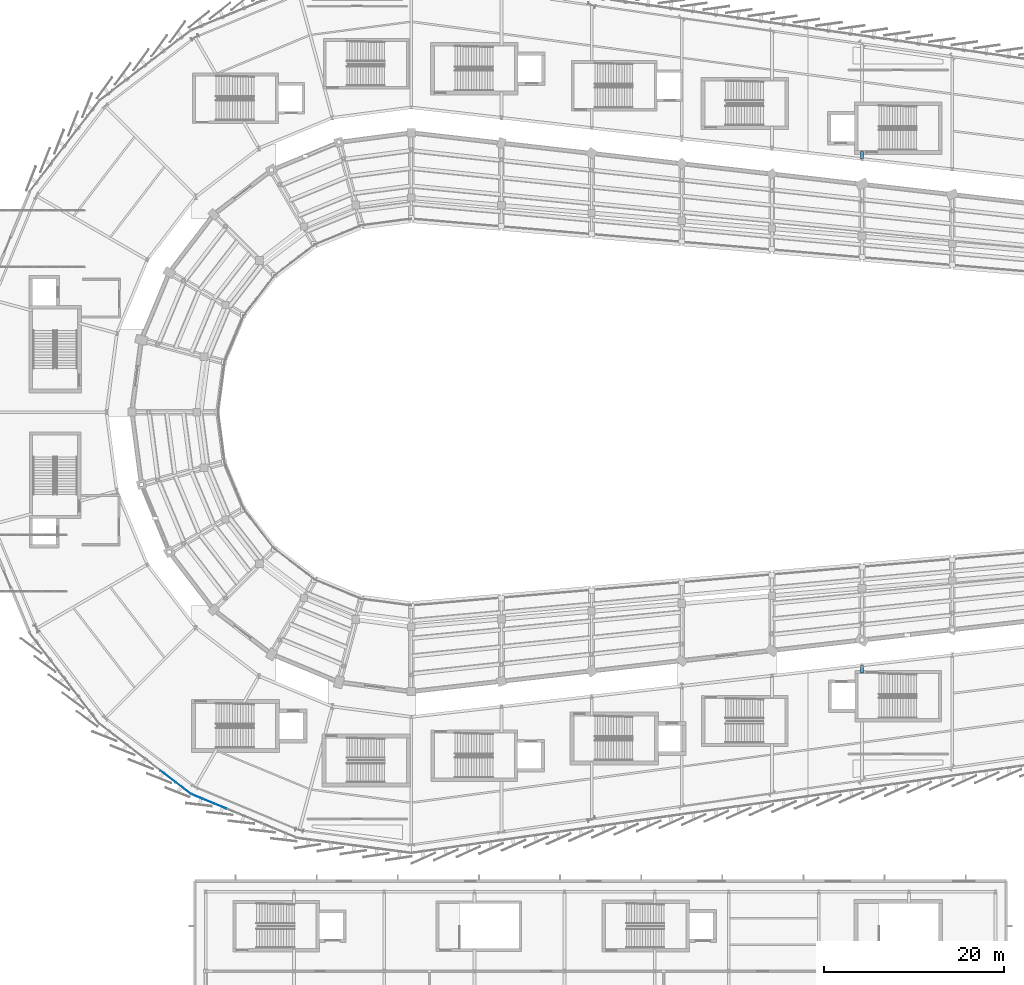
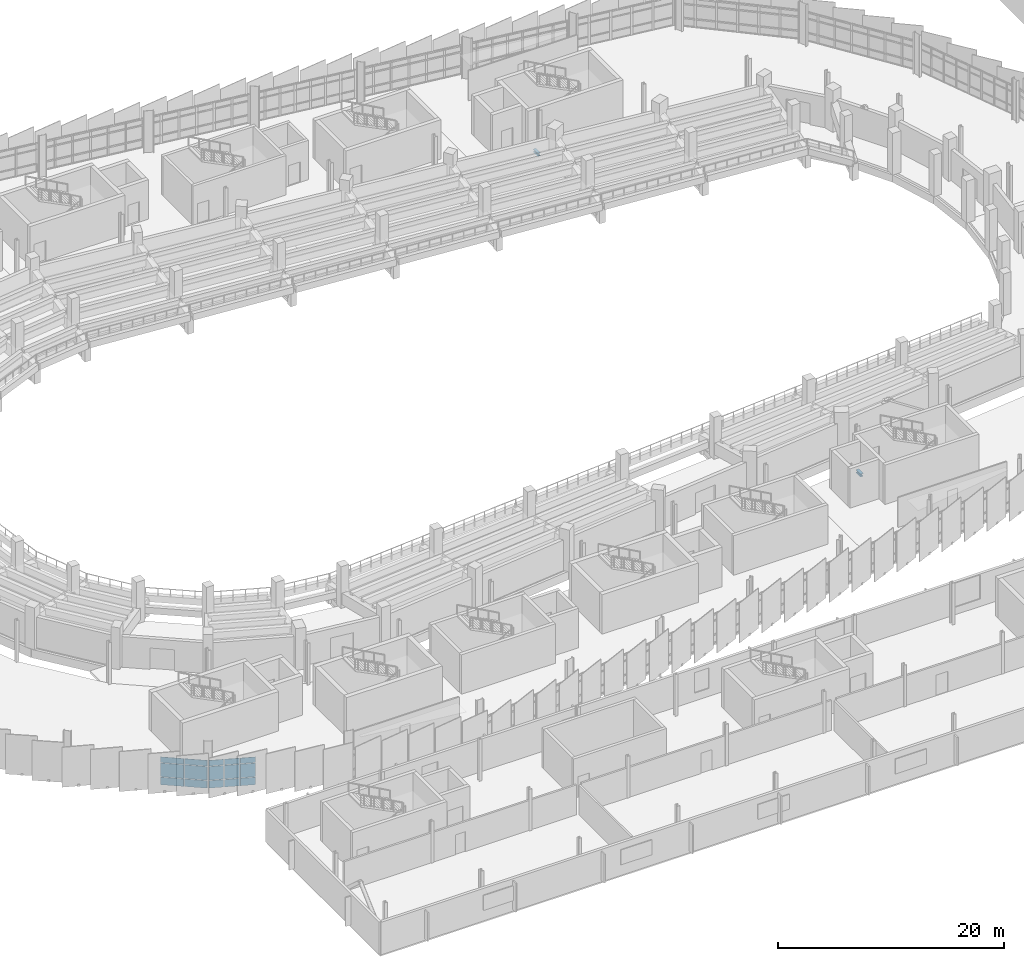
# One storey, part 76 of 120: 15 plates, 2 beams, 2 elements without a shape of their own.
"""IFC4 building model written with IfcOpenShell, lengths in metres."""

from ifc_helpers import new_model, si_unit, direction, frame, origin, origin_2d, place, context, subcontext, project, spatial, rectangle, i_section, extrude, material, layer, layer_set, material_profile, profile_set, type_object, element, aggregate, save


model = new_model("IFC4")

# Units and contexts
model_context = context("Model", 3, precision=1e-05, world=origin(), true_north=direction((0.0, 1.0)))
body_context = subcontext(model_context, "Body", "Model", "MODEL_VIEW")
ifc_project = project(units=[si_unit("LENGTHUNIT", "METRE"), si_unit("AREAUNIT", "SQUARE_METRE"), si_unit("VOLUMEUNIT", "CUBIC_METRE"), si_unit("PLANEANGLEUNIT", "RADIAN"), si_unit("MASSUNIT", "GRAM", prefix="KILO")], contexts=[model_context])

# Site, building, storey
site_placement = place(None, origin())
site = spatial("IfcSite", under=ifc_project, at=site_placement, CompositionType="ELEMENT")
building_placement = place(site_placement, origin())
building = spatial("IfcBuilding", under=site, at=building_placement, Name="Sohan Crest Arena", CompositionType="ELEMENT")
storey_placement = place(building_placement, frame((0.0, 0.0, 13.5)))
storey = spatial("IfcBuildingStorey", under=building, at=storey_placement, Name="L03", CompositionType="ELEMENT", Elevation=13.5)

# Beams
ifc_material_1 = material(Name="Steel S355", Category="steel")
ifc_material_profile = material_profile(ifc_material_1, i_section(OverallWidth=0.300048828125, OverallDepth=0.300048828125, WebThickness=0.010986328125, FlangeThickness=0.01904296875, at=origin_2d()), Name="HEB 300")
ifc_profile_set = profile_set([ifc_material_profile], Name="Steel S355")
beam_type = type_object("IfcBeamType", Name="STR-BM-B12", PredefinedType="BEAM", material=ifc_profile_set)
for number, where, z_axis, x_axis, name in (
    (1, (148.0, 49.9140625, -0.39990234375), (0.0, -1.0, 0.0), (1.0, 0.0, 0.0), "Structural beam G-L03-1470"),
    (2, (148.0, 106.0859375, -0.39990234375), (0.0, 1.0, 0.0), (-1.0, 0.0, 0.0), "Structural beam G-L03-1529"),
):
    element("IfcBeam", number, at=place(storey_placement, frame(where, z_axis=z_axis, x_axis=x_axis)), inside=storey, type_object=beam_type, Name=name, PredefinedType="BEAM", context=body_context, shape_type="SweptSolid", body=[
        extrude(i_section(OverallWidth=0.300048828125, OverallDepth=0.300048828125, WebThickness=0.010986328125, FlangeThickness=0.01904296875, at=origin_2d()), origin(), (0.0, 0.0, 1.0), 0.833984375),
    ])

# Curtain wall, plates
ifc_material_2 = material(Name="Thermally broken anodised aluminium", Category="aluminium")
ifc_layer_1 = layer(ifc_material_2, 0.239990234375, Name="Thermally broken anodised aluminium")
ifc_layer_set_1 = layer_set([ifc_layer_1], Name="Thermally broken anodised aluminium")
curtain_wall_type_1 = type_object("IfcCurtainWallType", Name="ARC-CW04", PredefinedType="NOTDEFINED", material=ifc_layer_set_1)
curtain_wall_1_placement = place(storey_placement, origin())
curtain_wall_1 = element("IfcCurtainWall", 3, at=curtain_wall_1_placement, inside=storey, type_object=curtain_wall_type_1, Name="Unitised curtain wall CW-087", PredefinedType="NOTDEFINED")
ifc_material_3 = material(Name="Low-E double-glazed insulated glass", Category="glass")
ifc_layer_2 = layer(ifc_material_3, 0.031982421875, Name="Low-E double-glazed insulated glass")
ifc_layer_set_2 = layer_set([ifc_layer_2], Name="Low-E double-glazed insulated glass")
plate_type_1 = type_object("IfcPlateType", Name="ARC-CNP02", PredefinedType="CURTAIN_PANEL", material=ifc_layer_set_2)
plate_1_placement = place(storey_placement, frame((71.01806640625, 37.59375, 0.06005859375), z_axis=(0.0, 0.0, 1.0), x_axis=(0.793371792207, -0.608737381249, 0.0)))
plate_1 = element("IfcPlate", 4, at=plate_1_placement, type_object=plate_type_1, Name="CW-087 panel 5.1", PredefinedType="CURTAIN_PANEL", context=body_context, shape_type="SweptSolid", body=[
    extrude(rectangle(XDim=2.062744140625, YDim=0.031982421875, at=origin_2d()), origin(), (0.0, 0.0, 1.0), 0.81005859375),
])
plate_2_placement = place(storey_placement, frame((71.01806640625, 37.59375, 0.929931640625), z_axis=(0.0, 0.0, 1.0), x_axis=(0.793371792207, -0.608737381249, 0.0)))
plate_2 = element("IfcPlate", 5, at=plate_2_placement, type_object=plate_type_1, Name="CW-087 panel 5.2", PredefinedType="CURTAIN_PANEL", context=body_context, shape_type="SweptSolid", body=[
    extrude(rectangle(XDim=2.062744140625, YDim=0.031982421875, at=origin_2d()), origin(), (0.0, 0.0, 1.0), 1.4599609375),
])
plate_3_placement = place(storey_placement, frame((71.01806640625, 37.59375, 2.44970703125), z_axis=(0.0, 0.0, 1.0), x_axis=(0.793371792207, -0.608737381249, 0.0)))
plate_3 = element("IfcPlate", 6, at=plate_3_placement, type_object=plate_type_1, Name="CW-087 panel 5.3", PredefinedType="CURTAIN_PANEL", context=body_context, shape_type="SweptSolid", body=[
    extrude(rectangle(XDim=2.062744140625, YDim=0.031982421875, at=origin_2d()), origin(), (0.0, 0.0, 1.0), 0.610107421875),
])
plate_4_placement = place(storey_placement, frame((72.693115234375, 36.30859375, 0.06005859375), z_axis=(0.0, 0.0, 1.0), x_axis=(0.793371792207, -0.608737381249, 0.0)))
plate_4 = element("IfcPlate", 7, at=plate_4_placement, type_object=plate_type_1, Name="CW-087 panel 6.1", PredefinedType="CURTAIN_PANEL", context=body_context, shape_type="SweptSolid", body=[
    extrude(rectangle(XDim=2.030029296875, YDim=0.031982421875, at=origin_2d()), origin(), (0.0, 0.0, 1.0), 0.81005859375),
])
plate_5_placement = place(storey_placement, frame((72.693115234375, 36.30859375, 0.929931640625), z_axis=(0.0, 0.0, 1.0), x_axis=(0.793371792207, -0.608737381249, 0.0)))
plate_5 = element("IfcPlate", 8, at=plate_5_placement, type_object=plate_type_1, Name="CW-087 panel 6.2", PredefinedType="CURTAIN_PANEL", context=body_context, shape_type="SweptSolid", body=[
    extrude(rectangle(XDim=2.030029296875, YDim=0.031982421875, at=origin_2d()), origin(), (0.0, 0.0, 1.0), 1.4599609375),
])
plate_6_placement = place(storey_placement, frame((72.693115234375, 36.30859375, 2.44970703125), z_axis=(0.0, 0.0, 1.0), x_axis=(0.793371792207, -0.608737381249, 0.0)))
plate_6 = element("IfcPlate", 9, at=plate_6_placement, type_object=plate_type_1, Name="CW-087 panel 6.3", PredefinedType="CURTAIN_PANEL", context=body_context, shape_type="SweptSolid", body=[
    extrude(rectangle(XDim=2.030029296875, YDim=0.031982421875, at=origin_2d()), origin(), (0.0, 0.0, 1.0), 0.610107421875),
])
aggregate(curtain_wall_1, [plate_1, plate_2, plate_3, plate_4, plate_5, plate_6])

ifc_layer_3 = layer(ifc_material_2, 0.18994140625, Name="Thermally broken anodised aluminium")
ifc_layer_set_3 = layer_set([ifc_layer_3], Name="Thermally broken anodised aluminium")
curtain_wall_type_2 = type_object("IfcCurtainWallType", Name="ARC-CW05", PredefinedType="NOTDEFINED", material=ifc_layer_set_3)
curtain_wall_2_placement = place(storey_placement, origin())
curtain_wall_2 = element("IfcCurtainWall", 10, at=curtain_wall_2_placement, inside=storey, type_object=curtain_wall_type_2, Name="Unitised curtain wall CW-088", PredefinedType="NOTDEFINED")
ifc_material_4 = material(Name="Ceramic-fritted solar-control insulated glass", Category="glass")
ifc_layer_4 = layer(ifc_material_4, 0.035888671875, Name="Ceramic-fritted solar-control insulated glass")
ifc_layer_set_4 = layer_set([ifc_layer_4], Name="Ceramic-fritted solar-control insulated glass")
plate_type_2 = type_object("IfcPlateType", Name="ARC-CNP03", PredefinedType="CURTAIN_PANEL", material=ifc_layer_set_4)
plate_7_placement = place(storey_placement, frame((74.221435546875, 35.372802734375, 0.06494140625), z_axis=(0.0, 0.0, 1.0), x_axis=(0.923886034074, -0.382667735827, 0.0)))
plate_7 = element("IfcPlate", 11, at=plate_7_placement, type_object=plate_type_2, Name="CW-088 panel 1.1", PredefinedType="CURTAIN_PANEL", context=body_context, shape_type="SweptSolid", body=[
    extrude(rectangle(XDim=1.3134765625, YDim=0.035888671875, at=origin_2d()), origin(), (0.0, 0.0, 1.0), 0.802490234375),
])
plate_8_placement = place(storey_placement, frame((74.221435546875, 35.372802734375, 0.932373046875), z_axis=(0.0, 0.0, 1.0), x_axis=(0.923886034074, -0.382667735827, 0.0)))
plate_8 = element("IfcPlate", 12, at=plate_8_placement, type_object=plate_type_2, Name="CW-088 panel 1.2", PredefinedType="CURTAIN_PANEL", context=body_context, shape_type="SweptSolid", body=[
    extrude(rectangle(XDim=1.3134765625, YDim=0.035888671875, at=origin_2d()), origin(), (0.0, 0.0, 1.0), 1.455078125),
])
plate_9_placement = place(storey_placement, frame((74.221435546875, 35.372802734375, 2.452392578125), z_axis=(0.0, 0.0, 1.0), x_axis=(0.923886034074, -0.382667735827, 0.0)))
plate_9 = element("IfcPlate", 13, at=plate_9_placement, type_object=plate_type_2, Name="CW-088 panel 1.3", PredefinedType="CURTAIN_PANEL", context=body_context, shape_type="SweptSolid", body=[
    extrude(rectangle(XDim=1.3134765625, YDim=0.035888671875, at=origin_2d()), origin(), (0.0, 0.0, 1.0), 0.6025390625),
])
plate_10_placement = place(storey_placement, frame((75.515625, 34.8369140625, 0.06494140625), z_axis=(0.0, 0.0, 1.0), x_axis=(0.923886034074, -0.382667735827, 0.0)))
plate_10 = element("IfcPlate", 14, at=plate_10_placement, type_object=plate_type_2, Name="CW-088 panel 2.1", PredefinedType="CURTAIN_PANEL", context=body_context, shape_type="SweptSolid", body=[
    extrude(rectangle(XDim=1.348388671875, YDim=0.035888671875, at=origin_2d()), origin(), (0.0, 0.0, 1.0), 0.802490234375),
])
plate_11_placement = place(storey_placement, frame((75.515625, 34.8369140625, 0.932373046875), z_axis=(0.0, 0.0, 1.0), x_axis=(0.923886034074, -0.382667735827, 0.0)))
plate_11 = element("IfcPlate", 15, at=plate_11_placement, type_object=plate_type_2, Name="CW-088 panel 2.2", PredefinedType="CURTAIN_PANEL", context=body_context, shape_type="SweptSolid", body=[
    extrude(rectangle(XDim=1.348388671875, YDim=0.035888671875, at=origin_2d()), origin(), (0.0, 0.0, 1.0), 1.455078125),
])
plate_12_placement = place(storey_placement, frame((75.515625, 34.8369140625, 2.452392578125), z_axis=(0.0, 0.0, 1.0), x_axis=(0.923886034074, -0.382667735827, 0.0)))
plate_12 = element("IfcPlate", 16, at=plate_12_placement, type_object=plate_type_2, Name="CW-088 panel 2.3", PredefinedType="CURTAIN_PANEL", context=body_context, shape_type="SweptSolid", body=[
    extrude(rectangle(XDim=1.348388671875, YDim=0.035888671875, at=origin_2d()), origin(), (0.0, 0.0, 1.0), 0.6025390625),
])
plate_13_placement = place(storey_placement, frame((76.826171875, 34.2939453125, 0.06494140625), z_axis=(0.0, 0.0, 1.0), x_axis=(0.923886034074, -0.382667735827, 0.0)))
plate_13 = element("IfcPlate", 17, at=plate_13_placement, type_object=plate_type_2, Name="CW-088 panel 3.1", PredefinedType="CURTAIN_PANEL", context=body_context, shape_type="SweptSolid", body=[
    extrude(rectangle(XDim=1.348388671875, YDim=0.035888671875, at=origin_2d()), origin(), (0.0, 0.0, 1.0), 0.802490234375),
])
plate_14_placement = place(storey_placement, frame((76.826171875, 34.2939453125, 0.932373046875), z_axis=(0.0, 0.0, 1.0), x_axis=(0.923886034074, -0.382667735827, 0.0)))
plate_14 = element("IfcPlate", 18, at=plate_14_placement, type_object=plate_type_2, Name="CW-088 panel 3.2", PredefinedType="CURTAIN_PANEL", context=body_context, shape_type="SweptSolid", body=[
    extrude(rectangle(XDim=1.348388671875, YDim=0.035888671875, at=origin_2d()), origin(), (0.0, 0.0, 1.0), 1.455078125),
])
plate_15_placement = place(storey_placement, frame((76.826171875, 34.2939453125, 2.452392578125), z_axis=(0.0, 0.0, 1.0), x_axis=(0.923886034074, -0.382667735827, 0.0)))
plate_15 = element("IfcPlate", 19, at=plate_15_placement, type_object=plate_type_2, Name="CW-088 panel 3.3", PredefinedType="CURTAIN_PANEL", context=body_context, shape_type="SweptSolid", body=[
    extrude(rectangle(XDim=1.348388671875, YDim=0.035888671875, at=origin_2d()), origin(), (0.0, 0.0, 1.0), 0.6025390625),
])
aggregate(curtain_wall_2, [plate_7, plate_8, plate_9, plate_10, plate_11, plate_12, plate_13, plate_14, plate_15])

save(model, "model.ifc")
